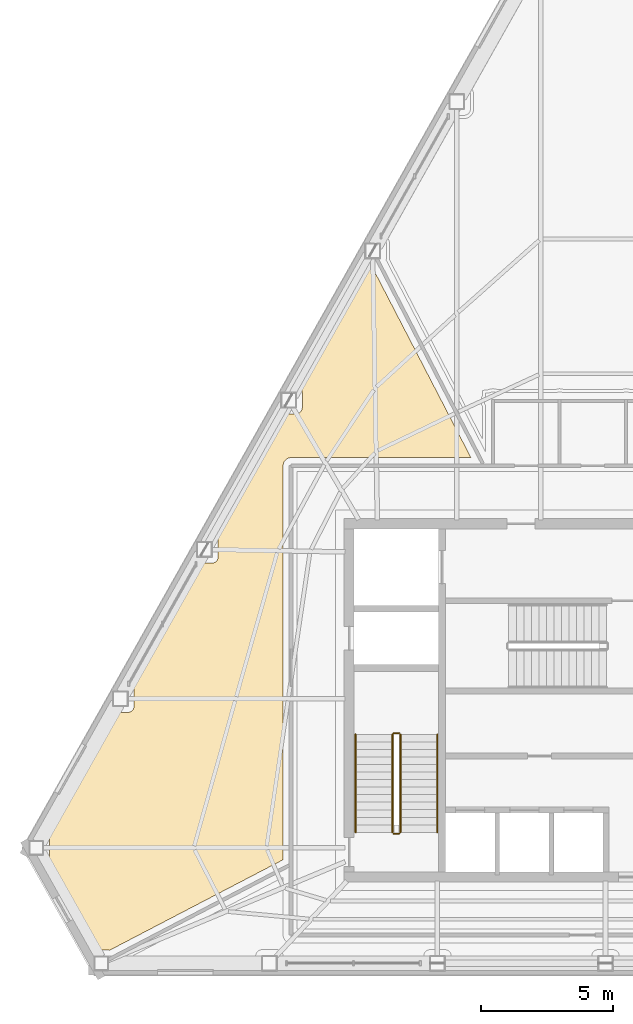
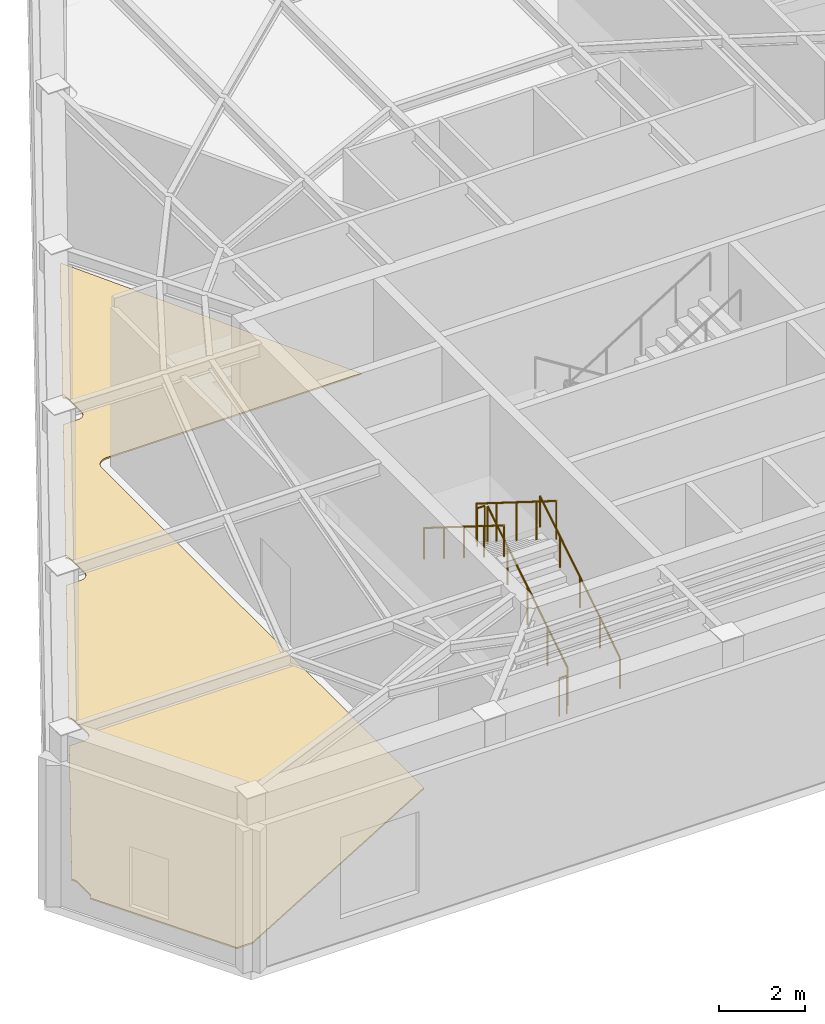
# One storey, part 12 of 15: 6 railings, 1 covering.
"""IFC4 building model written with IfcOpenShell, lengths in metres."""

from ifc_helpers import new_model, si_unit, direction, frame, origin, origin_2d, place, context, subcontext, project, spatial, polyline, circle, outline, extrude, material, layer, layer_set, type_object, element, save


model = new_model("IFC4")

# Units and contexts
model_context = context("Model", 3, precision=1e-05, world=origin(), true_north=direction((0.0, 1.0)))
body_context = subcontext(model_context, "Body", "Model", "MODEL_VIEW")
ifc_project = project(units=[si_unit("LENGTHUNIT", "METRE"), si_unit("AREAUNIT", "SQUARE_METRE"), si_unit("VOLUMEUNIT", "CUBIC_METRE"), si_unit("PLANEANGLEUNIT", "RADIAN"), si_unit("MASSUNIT", "GRAM", prefix="KILO")], contexts=[model_context])

# Site, building, storey
site_placement = place(None, origin())
site = spatial("IfcSite", under=ifc_project, at=site_placement, CompositionType="ELEMENT")
building_placement = place(site_placement, origin())
building = spatial("IfcBuilding", under=site, at=building_placement, Name="Kavelnor Concourse Tower", CompositionType="ELEMENT")
storey_placement = place(building_placement, frame((0.0, 0.0, 304.949951171875)))
storey = spatial("IfcBuildingStorey", under=building, at=storey_placement, Name="L77", CompositionType="ELEMENT", Elevation=304.949951171875)

# Covering
ifc_material_1 = material(Name="Honed bluestone and raised access floor finish", Category="masonry")
ifc_layer = layer(ifc_material_1, 0.0400390625, Name="Honed bluestone and raised access floor finish")
ifc_layer_set = layer_set([ifc_layer], Name="Honed bluestone and raised access floor finish")
covering_type = type_object("IfcCoveringType", Name="COV-FLOOR-STONE", PredefinedType="FLOORING", material=ifc_layer_set)
covering_placement = place(storey_placement, frame((0.0, 0.0, 0.001953125)))
element("IfcCovering", 1, at=covering_placement, inside=storey, type_object=covering_type, Name="L77 Honed Bluestone Floor Finish", PredefinedType="FLOORING", context=body_context, shape_type="SweptSolid", body=[
    extrude(outline(polyline([(19.513427734375, 15.642578125), (19.908203125, 15.642578125), (19.92626953125, 15.6435546875), (19.94970703125, 15.64697265625), (19.972412109375, 15.652587890625), (19.99462890625, 15.66064453125), (20.01611328125, 15.670654296875), (20.0361328125, 15.682861328125), (20.05517578125, 15.697021484375), (20.072509765625, 15.712646484375), (20.08837890625, 15.730224609375), (20.1025390625, 15.7490234375), (20.114501953125, 15.769287109375), (20.124755859375, 15.790771484375), (20.132568359375, 15.81298828125), (20.13818359375, 15.835693359375), (20.141845703125, 15.85888671875), (20.142578125, 15.877197265625), (20.142578125, 16.447998046875), (20.141845703125, 16.46630859375), (20.13818359375, 16.489501953125), (20.132568359375, 16.51220703125), (20.124755859375, 16.534423828125), (20.114501953125, 16.555908203125), (20.1025390625, 16.576171875), (20.08837890625, 16.594970703125), (20.072509765625, 16.612548828125), (20.064208984375, 16.6201171875), (22.698486328125, 21.297607421875), (23.093017578125, 21.297607421875), (23.111083984375, 21.29833984375), (23.134521484375, 21.302001953125), (23.1572265625, 21.3076171875), (23.179443359375, 21.3154296875), (23.200927734375, 21.32568359375), (23.22119140625, 21.337646484375), (23.239990234375, 21.351806640625), (23.257568359375, 21.36767578125), (23.273193359375, 21.385009765625), (23.287353515625, 21.404052734375), (23.299560546875, 21.42431640625), (23.3095703125, 21.445556640625), (23.3173828125, 21.4677734375), (23.3232421875, 21.490478515625), (23.32666015625, 21.513916015625), (23.32763671875, 21.531982421875), (23.32763671875, 22.102783203125), (23.32666015625, 22.12109375), (23.3232421875, 22.144287109375), (23.3173828125, 22.167236328125), (23.3095703125, 22.189453125), (23.299560546875, 22.210693359375), (23.287353515625, 22.23095703125), (23.273193359375, 22.25), (23.257568359375, 22.267333984375), (23.2490234375, 22.275146484375), (25.88330078125, 26.952392578125), (26.278076171875, 26.952392578125), (26.296142578125, 26.953369140625), (26.319580078125, 26.956787109375), (26.34228515625, 26.962646484375), (26.364501953125, 26.970458984375), (26.385986328125, 26.980712890625), (26.406005859375, 26.99267578125), (26.425048828125, 27.0068359375), (26.4423828125, 27.022705078125), (26.458251953125, 27.0400390625), (26.472412109375, 27.05908203125), (26.484619140625, 27.0791015625), (26.49462890625, 27.1005859375), (26.50244140625, 27.122802734375), (26.50830078125, 27.1455078125), (26.51171875, 27.1689453125), (26.5126953125, 27.18701171875), (26.5126953125, 27.7578125), (26.51171875, 27.776123046875), (26.50830078125, 27.79931640625), (26.50244140625, 27.822265625), (26.49462890625, 27.844482421875), (26.484619140625, 27.86572265625), (26.472412109375, 27.885986328125), (26.458251953125, 27.90478515625), (26.4423828125, 27.92236328125), (26.43408203125, 27.93017578125), (29.068359375, 32.607421875), (29.11474609375, 32.607421875), (32.90478515625, 25.29248046875), (26.084716796875, 25.29248046875), (26.060302734375, 25.291259765625), (26.031005859375, 25.286865234375), (26.002197265625, 25.27978515625), (25.97412109375, 25.269775390625), (25.947265625, 25.257080078125), (25.921875, 25.24169921875), (25.89794921875, 25.22412109375), (25.8759765625, 25.2041015625), (25.85595703125, 25.18212890625), (25.83837890625, 25.158203125), (25.822998046875, 25.1328125), (25.810302734375, 25.10595703125), (25.80029296875, 25.077880859375), (25.793212890625, 25.049072265625), (25.788818359375, 25.019775390625), (25.78759765625, 24.995361328125), (25.78759765625, 10.06103515625), (19.2109375, 6.629638671875), (19.207275390625, 6.630615234375), (19.18408203125, 6.634033203125), (19.165771484375, 6.635009765625), (18.802490234375, 6.635009765625), (16.864990234375, 10.0751953125), (16.86767578125, 10.07763671875), (16.88330078125, 10.09521484375), (16.8974609375, 10.114013671875), (16.90966796875, 10.13427734375), (16.919677734375, 10.15576171875), (16.927490234375, 10.177978515625), (16.933349609375, 10.20068359375), (16.936767578125, 10.22412109375), (16.937744140625, 10.2421875), (16.937744140625, 10.77294921875), (16.936767578125, 10.791259765625), (16.933349609375, 10.814453125), (16.927490234375, 10.83740234375), (16.919677734375, 10.859619140625), (16.90966796875, 10.880859375), (16.8974609375, 10.901123046875), (16.88330078125, 10.919921875), (16.86767578125, 10.9375), (16.864990234375, 10.93994140625), (19.513427734375, 15.642578125)])), origin(), (0.0, 0.0, 1.0), 0.0400390625),
])

# Railings
ifc_material_2 = material(Name="Steel Grade 350", Category="steel")
railing_type_1 = type_object("IfcRailingType", Name="RLG-GUARD-1100", PredefinedType="GUARDRAIL", material=ifc_material_2)
railing_1_placement = place(storey_placement, frame((30.22998046875, 11.10009765625, 0.1787109375)))
element("IfcRailing", 2, at=railing_1_placement, inside=storey, type_object=railing_type_1, Name="L77 ST1 stair guard 1", PredefinedType="GUARDRAIL", context=body_context, shape_type="SweptSolid", body=[
    extrude(circle(Radius=0.02392578125, at=origin_2d()), frame((0.0, 0.0, 1.076171875), z_axis=(0.0, 0.847404842492, 0.530947297688), x_axis=(-1.0, 0.0, 0.0)), (0.0, 0.0, 1.0), 4.3720703125),
    extrude(circle(Radius=0.02099609375, at=origin_2d()), origin(), (0.0, 0.0, 1.0), 1.052001953125),
    extrude(circle(Radius=0.02099609375, at=origin_2d()), frame((0.0, 0.92626953125, 0.580322265625)), (0.0, 0.0, 1.0), 1.052001953125),
    extrude(circle(Radius=0.02099609375, at=origin_2d()), frame((0.0, 1.8525390625, 1.16064453125)), (0.0, 0.0, 1.0), 1.052001953125),
    extrude(circle(Radius=0.02099609375, at=origin_2d()), frame((0.0, 2.778564453125, 1.740966796875)), (0.0, 0.0, 1.0), 1.052001953125),
    extrude(circle(Radius=0.02099609375, at=origin_2d()), frame((0.0, 3.704833984375, 2.3212890625)), (0.0, 0.0, 1.0), 1.052001953125),
])
railing_2_placement = place(storey_placement, frame((30.179931640625, 14.85498046875, 2.5)))
element("IfcRailing", 3, at=railing_2_placement, inside=storey, type_object=railing_type_1, Name="L77 ST1 stair guard 2", PredefinedType="GUARDRAIL", context=body_context, shape_type="SweptSolid", body=[
    extrude(circle(Radius=0.02392578125, at=origin_2d()), frame((0.0, 0.0, 1.076171875), z_axis=(-1.0, 0.0, 0.0), x_axis=(0.0, -1.0, 0.0)), (0.0, 0.0, 1.0), 0.199951171875),
    extrude(circle(Radius=0.02099609375, at=origin_2d()), origin(), (0.0, 0.0, 1.0), 1.052001953125),
    extrude(circle(Radius=0.02099609375, at=origin_2d()), frame((-0.199951171875, 0.0, 0.0)), (0.0, 0.0, 1.0), 1.052001953125),
])
railing_3_placement = place(storey_placement, frame((29.929931640625, 14.804931640625, 2.6787109375)))
element("IfcRailing", 4, at=railing_3_placement, inside=storey, type_object=railing_type_1, Name="L77 ST1 stair guard 3", PredefinedType="GUARDRAIL", context=body_context, shape_type="SweptSolid", body=[
    extrude(circle(Radius=0.02392578125, at=origin_2d()), frame((0.0, 0.0, 1.076171875), z_axis=(0.0, -0.847404842492, 0.530947297688), x_axis=(1.0, 0.0, 0.0)), (0.0, 0.0, 1.0), 4.3720703125),
    extrude(circle(Radius=0.02099609375, at=origin_2d()), origin(), (0.0, 0.0, 1.0), 1.052001953125),
    extrude(circle(Radius=0.02099609375, at=origin_2d()), frame((0.0, -0.92626953125, 0.580322265625)), (0.0, 0.0, 1.0), 1.052001953125),
    extrude(circle(Radius=0.02099609375, at=origin_2d()), frame((0.0, -1.8525390625, 1.16064453125)), (0.0, 0.0, 1.0), 1.052001953125),
    extrude(circle(Radius=0.02099609375, at=origin_2d()), frame((0.0, -2.778564453125, 1.740966796875)), (0.0, 0.0, 1.0), 1.052001953125),
    extrude(circle(Radius=0.02099609375, at=origin_2d()), frame((0.0, -3.704833984375, 2.3212890625)), (0.0, 0.0, 1.0), 1.052001953125),
])
railing_4_placement = place(storey_placement, frame((30.179931640625, 11.050048828125, 0.0)))
element("IfcRailing", 5, at=railing_4_placement, inside=storey, type_object=railing_type_1, Name="L77 ST1 stair guard 4", PredefinedType="GUARDRAIL", context=body_context, shape_type="SweptSolid", body=[
    extrude(circle(Radius=0.02392578125, at=origin_2d()), frame((0.0, 0.0, 1.076171875), z_axis=(-1.0, 0.0, 0.0), x_axis=(0.0, -1.0, 0.0)), (0.0, 0.0, 1.0), 0.199951171875),
    extrude(circle(Radius=0.02099609375, at=origin_2d()), origin(), (0.0, 0.0, 1.0), 1.052001953125),
    extrude(circle(Radius=0.02099609375, at=origin_2d()), frame((-0.199951171875, 0.0, 0.0)), (0.0, 0.0, 1.0), 1.052001953125),
])
railing_type_2 = type_object("IfcRailingType", Name="RLG-HANDRAIL-900", PredefinedType="HANDRAIL", material=ifc_material_2)
railing_5_placement = place(storey_placement, frame((31.6298828125, 11.10009765625, 0.1787109375)))
element("IfcRailing", 6, at=railing_5_placement, inside=storey, type_object=railing_type_2, Name="L77 ST1 stair handrail 1", PredefinedType="HANDRAIL", context=body_context, shape_type="SweptSolid", body=[
    extrude(circle(Radius=0.02392578125, at=origin_2d()), frame((0.0, 0.0, 0.8759765625), z_axis=(0.0, 0.847404842492, 0.530947297688), x_axis=(-1.0, 0.0, 0.0)), (0.0, 0.0, 1.0), 4.3720703125),
    extrude(circle(Radius=0.02099609375, at=origin_2d()), origin(), (0.0, 0.0, 1.0), 0.851806640625),
    extrude(circle(Radius=0.02099609375, at=origin_2d()), frame((0.0, 0.92626953125, 0.580322265625)), (0.0, 0.0, 1.0), 0.851806640625),
    extrude(circle(Radius=0.02099609375, at=origin_2d()), frame((0.0, 1.8525390625, 1.16064453125)), (0.0, 0.0, 1.0), 0.851806640625),
    extrude(circle(Radius=0.02099609375, at=origin_2d()), frame((0.0, 2.778564453125, 1.740966796875)), (0.0, 0.0, 1.0), 0.851806640625),
    extrude(circle(Radius=0.02099609375, at=origin_2d()), frame((0.0, 3.704833984375, 2.3212890625)), (0.0, 0.0, 1.0), 0.851806640625),
])
railing_6_placement = place(storey_placement, frame((28.530029296875, 14.804931640625, 2.6787109375)))
element("IfcRailing", 7, at=railing_6_placement, inside=storey, type_object=railing_type_2, Name="L77 ST1 stair handrail 2", PredefinedType="HANDRAIL", context=body_context, shape_type="SweptSolid", body=[
    extrude(circle(Radius=0.02392578125, at=origin_2d()), frame((0.0, 0.0, 0.8759765625), z_axis=(0.0, -0.847404842492, 0.530947297688), x_axis=(1.0, 0.0, 0.0)), (0.0, 0.0, 1.0), 4.3720703125),
    extrude(circle(Radius=0.02099609375, at=origin_2d()), origin(), (0.0, 0.0, 1.0), 0.851806640625),
    extrude(circle(Radius=0.02099609375, at=origin_2d()), frame((0.0, -0.92626953125, 0.580322265625)), (0.0, 0.0, 1.0), 0.851806640625),
    extrude(circle(Radius=0.02099609375, at=origin_2d()), frame((0.0, -1.8525390625, 1.16064453125)), (0.0, 0.0, 1.0), 0.851806640625),
    extrude(circle(Radius=0.02099609375, at=origin_2d()), frame((0.0, -2.778564453125, 1.740966796875)), (0.0, 0.0, 1.0), 0.851806640625),
    extrude(circle(Radius=0.02099609375, at=origin_2d()), frame((0.0, -3.704833984375, 2.3212890625)), (0.0, 0.0, 1.0), 0.851806640625),
])

save(model, "model.ifc")
